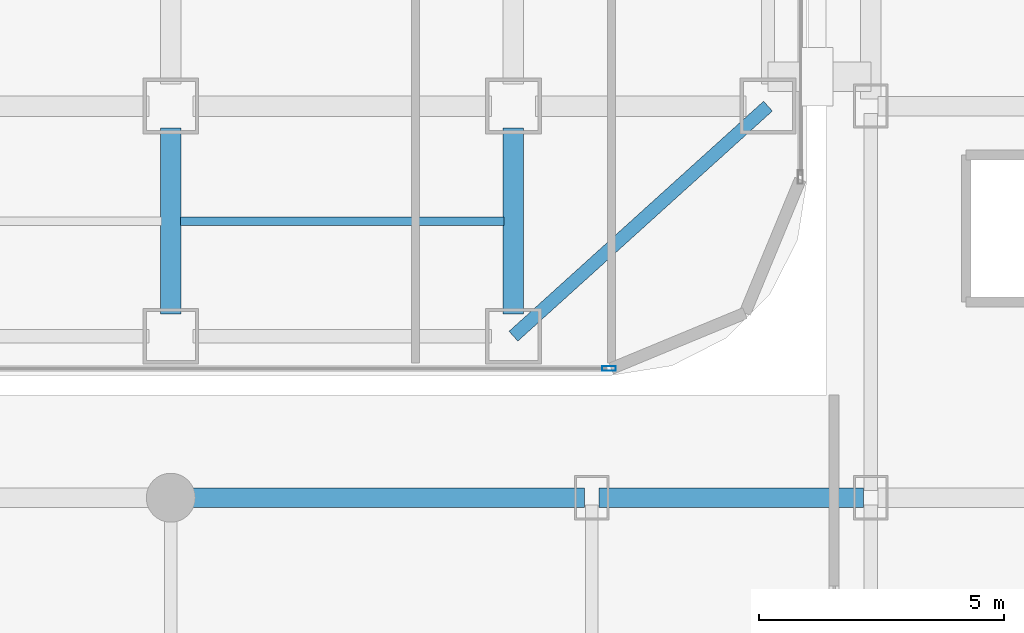
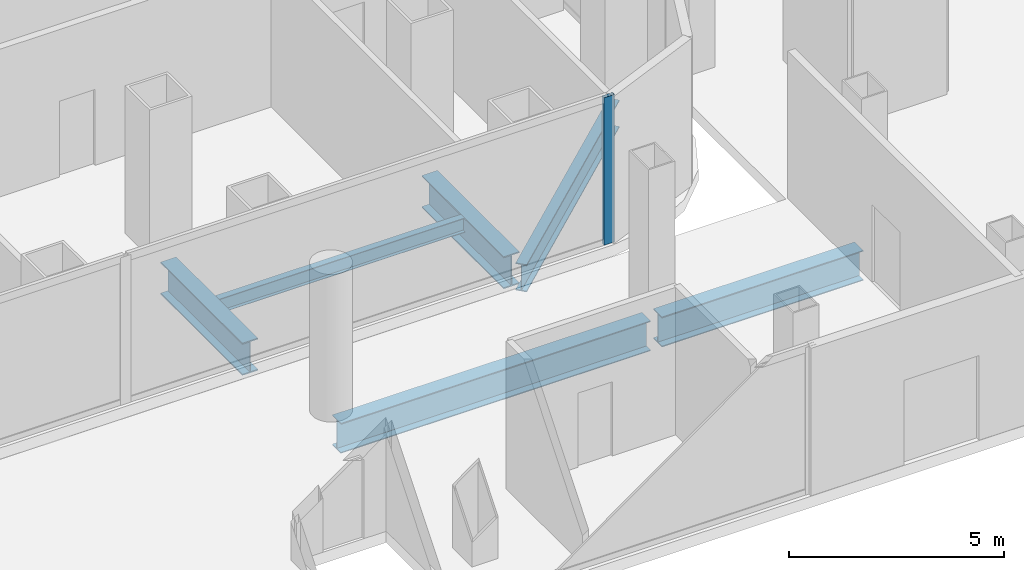
# One storey, part 9 of 31: 6 beams, 1 member, 1 element without a shape of its own.
"""IFC4 building model written with IfcOpenShell, lengths in metres."""

import ifcopenshell
import ifcopenshell.guid

model = None  # the IFC model being written
_history = None  # IfcOwnerHistory: only IFC2X3 demands one
_inside = {}  # id of a spatial element -> (the spatial element, [elements in it])
_under = {}  # id of a project, library or spatial element -> (it, [spatial elements below it])
_declared = {}  # id of a project -> (the project, [libraries it declares])
_typed = {}  # id of a type object -> (the type object, [elements of that type])
_made_of = {}  # id of a material, layer set ... -> (it, [elements and type objects made of it])


def new_model(schema):
    """Start an empty IFC model of exactly this schema.

    Asked for "IFC4X3", IfcOpenShell would pick the latest addendum, in which some entities
    have other attributes; the version numbers below select the first issue.
    IFC2X3 requires an IfcOwnerHistory on every rooted entity: one is made here for all.
    """
    global model, _history
    if schema == "IFC4X3":
        model = ifcopenshell.file(schema_version=(4, 3, 0, 0))
    else:
        model = ifcopenshell.file(schema=schema)
    _inside.clear()
    _under.clear()
    _declared.clear()
    _typed.clear()
    _made_of.clear()
    _history = None
    if model.schema == "IFC2X3":
        org = make("IfcOrganization", Name="unknown")
        user = make(
            "IfcPersonAndOrganization",
            ThePerson=make("IfcPerson", FamilyName="unknown"),
            TheOrganization=org,
        )
        app = make(
            "IfcApplication",
            ApplicationDeveloper=org,
            Version="unknown",
            ApplicationFullName="unknown",
            ApplicationIdentifier="unknown",
        )
        _history = make(
            "IfcOwnerHistory",
            OwningUser=user,
            OwningApplication=app,
            ChangeAction="ADDED",
            CreationDate=0,
        )
    return model


def make(cls, **values):
    """One entity of the class cls with the attributes given. An attribute that is None is left unset."""
    return model.create_entity(
        cls, **{name: value for name, value in values.items() if value is not None}
    )


def rooted(cls, **values):
    """An entity with a GlobalId (a new one), such as an element, a storey or a relation."""
    return make(cls, GlobalId=ifcopenshell.guid.new(), OwnerHistory=_history, **values)


def si_unit(unit_type, name, prefix=None):
    """IfcSIUnit, for example si_unit("LENGTHUNIT", "METRE", prefix="MILLI")."""
    return make("IfcSIUnit", UnitType=unit_type, Prefix=prefix, Name=name)


def assignment(units):
    """IfcUnitAssignment: the units of a project."""
    return None if units is None else make("IfcUnitAssignment", Units=units)


def point(xyz):
    """IfcCartesianPoint."""
    return None if xyz is None else make("IfcCartesianPoint", Coordinates=xyz)


def direction(xyz):
    """IfcDirection."""
    return None if xyz is None else make("IfcDirection", DirectionRatios=xyz)


def frame(location, z_axis=None, x_axis=None):
    """IfcAxis2Placement3D, a coordinate frame: its origin and axes. An axis left out is left unset."""
    return make(
        "IfcAxis2Placement3D",
        Location=point(location),
        Axis=direction(z_axis),
        RefDirection=direction(x_axis),
    )


def frame_2d(location, x_axis=None):
    """IfcAxis2Placement2D, a coordinate frame in the plane: its origin and x axis."""
    return make(
        "IfcAxis2Placement2D", Location=point(location), RefDirection=direction(x_axis)
    )


def origin():
    """The frame at (0, 0, 0) with its axes left unset."""
    return frame((0.0, 0.0, 0.0))


def origin_2d():
    """The frame at (0, 0) in the plane with its x axis left unset."""
    return frame_2d((0.0, 0.0))


def place(relative_to, where):
    """IfcLocalPlacement: puts the frame where relative to a parent placement (None: the world)."""
    return make(
        "IfcLocalPlacement", PlacementRelTo=relative_to, RelativePlacement=where
    )


def context(
    kind, dimensions, precision=None, world=None, true_north=None, identifier=None
):
    """IfcGeometricRepresentationContext, for example the 3D "Model" context."""
    return make(
        "IfcGeometricRepresentationContext",
        ContextIdentifier=identifier,
        ContextType=kind,
        CoordinateSpaceDimension=dimensions,
        Precision=precision,
        WorldCoordinateSystem=world,
        TrueNorth=true_north,
    )


def subcontext(parent, identifier, kind, view, scale=None):
    """IfcGeometricRepresentationSubContext, for example "Body" below "Model"."""
    return make(
        "IfcGeometricRepresentationSubContext",
        ContextIdentifier=identifier,
        ContextType=kind,
        ParentContext=parent,
        TargetScale=scale,
        TargetView=view,
    )


def project(units=None, contexts=None):
    """IfcProject with its units and contexts."""
    return rooted(
        "IfcProject",
        Name="project",
        RepresentationContexts=contexts,
        UnitsInContext=assignment(units),
    )


def spatial(cls, under=None, at=None, **own):
    """A site, building, storey or space (cls), placed at a placement, below another one or the project."""
    s = rooted(cls, ObjectPlacement=at, **own)
    if under is not None:
        _under.setdefault(under.id(), (under, []))[1].append(s)
    return s


def profile(cls, at=None, kind="AREA", **sizes):
    """A parametric profile (cls). Its sizes go by their IFC names, for example OverallWidth=200.0."""
    return make(cls, ProfileType=kind, Position=at, **sizes)


def hollow_rectangle(**sizes):
    """IfcRectangleHollowProfileDef."""
    return profile("IfcRectangleHollowProfileDef", **sizes)


def i_section(**sizes):
    """IfcIShapeProfileDef."""
    return profile("IfcIShapeProfileDef", **sizes)


def extrude(swept, where, along, depth):
    """IfcExtrudedAreaSolid: the profile swept, set in the frame where, extruded along a direction by depth."""
    return make(
        "IfcExtrudedAreaSolid",
        SweptArea=swept,
        Position=where,
        ExtrudedDirection=direction(along),
        Depth=depth,
    )


def shape(context_of_items, identifier, shape_type, items):
    """IfcShapeRepresentation: the items that make up one representation, for example the "Body"."""
    return make(
        "IfcShapeRepresentation",
        ContextOfItems=context_of_items,
        RepresentationIdentifier=identifier,
        RepresentationType=shape_type,
        Items=items,
    )


def source(mapping_origin, context_of_items, identifier, shape_type, items):
    """IfcRepresentationMap: a shape defined once, which mapped items show again and again."""
    return make(
        "IfcRepresentationMap",
        MappingOrigin=mapping_origin,
        MappedRepresentation=shape(context_of_items, identifier, shape_type, items),
    )


def transform(
    local_origin,
    x_axis=None,
    y_axis=None,
    z_axis=None,
    scale=None,
    scale2=None,
    scale3=None,
    uniform=True,
):
    """IfcCartesianTransformationOperator3D, or its non-uniform kind. x_axis, y_axis, z_axis: its Axis1, 2, 3."""
    if uniform:
        return make(
            "IfcCartesianTransformationOperator3D",
            Axis1=direction(x_axis),
            Axis2=direction(y_axis),
            LocalOrigin=point(local_origin),
            Scale=scale,
            Axis3=direction(z_axis),
        )
    return make(
        "IfcCartesianTransformationOperator3DnonUniform",
        Axis1=direction(x_axis),
        Axis2=direction(y_axis),
        LocalOrigin=point(local_origin),
        Scale=scale,
        Axis3=direction(z_axis),
        Scale2=scale2,
        Scale3=scale3,
    )


def mapped(mapping_source, mapping_target):
    """IfcMappedItem: shows the shape of a source again, moved by a transform."""
    return make(
        "IfcMappedItem", MappingSource=mapping_source, MappingTarget=mapping_target
    )


def material(Name=None, Category=None):
    """IfcMaterial."""
    return make("IfcMaterial", Name=Name, Category=Category)


def layer(
    of_material, thickness, ventilated=None, Name=None, Category=None, Priority=None
):
    """IfcMaterialLayer: one layer of a wall or slab, of a material (None: an air gap)."""
    return make(
        "IfcMaterialLayer",
        Material=of_material,
        LayerThickness=thickness,
        IsVentilated=ventilated,
        Name=Name,
        Category=Category,
        Priority=Priority,
    )


def layer_set(layers, Name=None):
    """IfcMaterialLayerSet."""
    return make("IfcMaterialLayerSet", MaterialLayers=layers, LayerSetName=Name)


def material_profile(
    of_material, cross_section, Name=None, Category=None, Priority=None
):
    """IfcMaterialProfile: a cross section and its material."""
    return make(
        "IfcMaterialProfile",
        Name=Name,
        Material=of_material,
        Profile=cross_section,
        Priority=Priority,
        Category=Category,
    )


def profile_set(profiles, Name=None, composite=None):
    """IfcMaterialProfileSet."""
    return make(
        "IfcMaterialProfileSet",
        Name=Name,
        MaterialProfiles=profiles,
        CompositeProfile=composite,
    )


def made_of(thing, what):
    """Note that an element or type object is made of a material, layer set ...; save() writes the relation."""
    if what is not None:
        _made_of.setdefault(what.id(), (what, []))[1].append(thing)
    return thing


def type_object(cls, material=None, **own):
    """A type object (cls), such as IfcWallType, which elements share."""
    return made_of(rooted(cls, **own), material)


def element(
    cls,
    number,
    at=None,
    inside=None,
    cuts=None,
    type_object=None,
    material=None,
    context=None,
    identifier="Body",
    shape_type=None,
    held_by="IfcProductDefinitionShape",
    body=None,
    shapes=None,
    **own,
):
    """One element of the class cls, such as IfcWall. Its Tag is "e" and its number.

    at: its placement. inside: the storey or other place that contains it. cuts: it is an
    opening in that element (IfcRelVoidsElement). A single representation is given by context,
    identifier, shape_type and body (its items); several are given by shapes. held_by: the class
    of the entity that holds the representations. save() writes the other relations.
    """
    e = rooted(cls, Tag="e%d" % number, ObjectPlacement=at, **own)
    if body is not None:
        shapes = [shape(context, identifier, shape_type, body)]
    if shapes is not None:
        e.Representation = make(held_by, Representations=shapes)
    if inside is not None:
        _inside.setdefault(inside.id(), (inside, []))[1].append(e)
    if cuts is not None:
        rooted(
            "IfcRelVoidsElement", RelatingBuildingElement=cuts, RelatedOpeningElement=e
        )
    if type_object is not None:
        _typed.setdefault(type_object.id(), (type_object, []))[1].append(e)
    return made_of(e, material)


def aggregate(whole, parts):
    """IfcRelAggregates: a whole, such as a stair, and the parts it consists of."""
    return rooted("IfcRelAggregates", RelatingObject=whole, RelatedObjects=parts)


def save(model, path):
    """Write the relations noted so far, then the file.

    IfcRelAggregates (storeys below a building ...), IfcRelContainedInSpatialStructure (elements
    in a storey), IfcRelDefinesByType, IfcRelAssociatesMaterial and IfcRelDeclares: one each for
    every whole, place, type object, material and project.
    """
    for whole, parts in _under.values():
        aggregate(whole, parts)
    for where, things in _inside.values():
        rooted(
            "IfcRelContainedInSpatialStructure",
            RelatedElements=things,
            RelatingStructure=where,
        )
    for kind, things in _typed.values():
        rooted("IfcRelDefinesByType", RelatedObjects=things, RelatingType=kind)
    for what, things in _made_of.values():
        rooted("IfcRelAssociatesMaterial", RelatedObjects=things, RelatingMaterial=what)
    for by, libraries in _declared.values():
        rooted("IfcRelDeclares", RelatingContext=by, RelatedDefinitions=libraries)
    model.write(path)


model = new_model("IFC4")

# Units and contexts
model_context = context("Model", 3, precision=1e-05, world=origin(), true_north=direction((0.0, 1.0)))
body_context = subcontext(model_context, "Body", "Model", "MODEL_VIEW")
ifc_project = project(units=[si_unit("LENGTHUNIT", "METRE"), si_unit("AREAUNIT", "SQUARE_METRE"), si_unit("VOLUMEUNIT", "CUBIC_METRE"), si_unit("PLANEANGLEUNIT", "RADIAN"), si_unit("MASSUNIT", "GRAM", prefix="KILO")], contexts=[model_context])

# Site, building, storey
site_placement = place(None, origin())
site = spatial("IfcSite", under=ifc_project, at=site_placement, CompositionType="ELEMENT")
building_placement = place(site_placement, origin())
building = spatial("IfcBuilding", under=site, at=building_placement, Name="Kolveth Station Tower", CompositionType="ELEMENT")
storey_placement = place(building_placement, origin())
storey = spatial("IfcBuildingStorey", under=building, at=storey_placement, Name="L00", CompositionType="ELEMENT", Elevation=0.0)

# Beams
ifc_material_1 = material(Name="Steel S355", Category="steel")
ifc_material_profile_1 = material_profile(ifc_material_1, i_section(OverallWidth=0.26904296875, OverallDepth=0.77490234375, WebThickness=0.01708984375, FlangeThickness=0.0283203125, at=origin_2d()), Name="W760x220")
ifc_profile_set_1 = profile_set([ifc_material_profile_1], Name="Steel S355")
beam_type_1 = type_object("IfcBeamType", Name="Beam_SP1", PredefinedType="SPANDREL", material=ifc_profile_set_1)
shared_shape_1 = source(origin(), body_context, "Body", "SweptSolid", [
    extrude(i_section(OverallWidth=0.26904296875, OverallDepth=0.77490234375, WebThickness=0.01708984375, FlangeThickness=0.0283203125, at=origin_2d()), origin(), (0.0, 0.0, 1.0), 7.00927734375),
])
beam_1_placement = place(storey_placement, frame((41.0, 0.800048828125, -0.70751953125), z_axis=(0.741874009795, 0.670539300557, 0.0), x_axis=(-0.670539300557, 0.741874009795, 0.0)))
element("IfcBeam", 1, at=beam_1_placement, inside=storey, type_object=beam_type_1, Name="L00 Corner Edge Girder BM-L00-CNR-SE", PredefinedType="SPANDREL", context=body_context, shape_type="MappedRepresentation", body=[
    mapped(shared_shape_1, transform((0.0, 0.0, 0.0), x_axis=(1.0, 0.0, 0.0), y_axis=(0.0, 1.0, 0.0), z_axis=(0.0, 0.0, 1.0), scale=1.0)),
])
ifc_material_profile_2 = material_profile(ifc_material_1, i_section(OverallWidth=0.41796875, OverallDepth=0.912109375, WebThickness=0.019287109375, FlangeThickness=0.031982421875, at=origin_2d()), Name="W920x342")
ifc_profile_set_2 = profile_set([ifc_material_profile_2], Name="Steel S355")
beam_type_2 = type_object("IfcBeamType", Name="Beam_B1", PredefinedType="BEAM", material=ifc_profile_set_2)
shared_shape_2 = source(origin(), body_context, "Body", "SweptSolid", [
    extrude(i_section(OverallWidth=0.41796875, OverallDepth=0.912109375, WebThickness=0.019287109375, FlangeThickness=0.031982421875, at=origin_2d()), origin(), (0.0, 0.0, 1.0), 3.800048828125),
])
for number, where, z_axis, x_axis, name in (
    (2, (34.0, 1.25, -0.77587890625), (0.0, 1.0, 0.0), (-1.0, 0.0, 0.0), "L00 Primary Girder BM-L00-GX340-1"),
    (3, (41.0, 1.25, -0.77587890625), (0.0, 1.0, 0.0), (-1.0, 0.0, 0.0), "L00 Primary Girder BM-L00-GX410-1"),
):
    element("IfcBeam", number, at=place(storey_placement, frame(where, z_axis=z_axis, x_axis=x_axis)), inside=storey, type_object=beam_type_2, Name=name, PredefinedType="BEAM", context=body_context, shape_type="MappedRepresentation", body=[
        mapped(shared_shape_2, transform((0.0, 0.0, 0.0), x_axis=(1.0, 0.0, 0.0), y_axis=(0.0, 1.0, 0.0), z_axis=(0.0, 0.0, 1.0), scale=1.0)),
    ])
ifc_material_profile_3 = material_profile(ifc_material_1, i_section(OverallWidth=0.177978515625, OverallDepth=0.406982421875, WebThickness=0.0078125, FlangeThickness=0.0126953125, at=origin_2d()), Name="W410x60")
ifc_profile_set_3 = profile_set([ifc_material_profile_3], Name="Steel S355")
beam_type_3 = type_object("IfcBeamType", Name="Beam_J1", PredefinedType="JOIST", material=ifc_profile_set_3)
shared_shape_3 = source(origin(), body_context, "Body", "SweptSolid", [
    extrude(i_section(OverallWidth=0.177978515625, OverallDepth=0.406982421875, WebThickness=0.0078125, FlangeThickness=0.0126953125, at=origin_2d()), origin(), (0.0, 0.0, 1.0), 6.60986328125),
])
beam_2_placement = place(storey_placement, frame((34.195068359375, 3.14990234375, -0.5234375), z_axis=(1.0, 0.0, 0.0), x_axis=(0.0, 1.0, 0.0)))
element("IfcBeam", 4, at=beam_2_placement, inside=storey, type_object=beam_type_3, Name="L00 Secondary Joist JST-L00-6-1", PredefinedType="JOIST", context=body_context, shape_type="MappedRepresentation", body=[
    mapped(shared_shape_3, transform((0.0, 0.0, 0.0), x_axis=(1.0, 0.0, 0.0), y_axis=(0.0, 1.0, 0.0), z_axis=(0.0, 0.0, 1.0), scale=1.0)),
])
ifc_material_profile_4 = material_profile(ifc_material_1, i_section(OverallWidth=0.40087890625, OverallDepth=0.85107421875, WebThickness=0.01611328125, FlangeThickness=0.025390625, at=origin_2d()), Name="W840x226")
ifc_profile_set_4 = profile_set([ifc_material_profile_4], Name="Steel S355")
beam_type_4 = type_object("IfcBeamType", Name="Beam_B2", PredefinedType="BEAM", material=ifc_profile_set_4)
shared_shape_4 = source(origin(), body_context, "Body", "SweptSolid", [
    extrude(i_section(OverallWidth=0.40087890625, OverallDepth=0.85107421875, WebThickness=0.01611328125, FlangeThickness=0.025390625, at=origin_2d()), origin(), (0.0, 0.0, 1.0), 8.300048828125),
])
beam_3_placement = place(storey_placement, frame((34.14990234375, -2.5, -0.74560546875), z_axis=(1.0, 0.0, 0.0), x_axis=(0.0, 1.0, 0.0)))
element("IfcBeam", 5, at=beam_3_placement, inside=storey, type_object=beam_type_4, Name="L00 Station Concourse Girder SBM-L00-SL2-4", PredefinedType="BEAM", context=body_context, shape_type="MappedRepresentation", body=[
    mapped(shared_shape_4, transform((0.0, 0.0, 0.0), x_axis=(1.0, 0.0, 0.0), y_axis=(0.0, 1.0, 0.0), z_axis=(0.0, 0.0, 1.0), scale=1.0)),
])
shared_shape_5 = source(origin(), body_context, "Body", "SweptSolid", [
    extrude(i_section(OverallWidth=0.40087890625, OverallDepth=0.85107421875, WebThickness=0.01611328125, FlangeThickness=0.025390625, at=origin_2d()), origin(), (0.0, 0.0, 1.0), 5.39990234375),
])
beam_4_placement = place(storey_placement, frame((42.75, -2.5, -0.74560546875), z_axis=(1.0, 0.0, 0.0), x_axis=(0.0, 1.0, 0.0)))
element("IfcBeam", 6, at=beam_4_placement, inside=storey, type_object=beam_type_4, Name="L00 Station Concourse Girder SBM-L00-SL2-5", PredefinedType="BEAM", context=body_context, shape_type="MappedRepresentation", body=[
    mapped(shared_shape_5, transform((0.0, 0.0, 0.0), x_axis=(1.0, 0.0, 0.0), y_axis=(0.0, 1.0, 0.0), z_axis=(0.0, 0.0, 1.0), scale=1.0)),
])

# Curtain wall, member
ifc_material_2 = material(Name="Black anodized aluminium 6063-T6 and clear station glass", Category="aluminium")
ifc_layer = layer(ifc_material_2, 0.239990234375)
ifc_layer_set = layer_set([ifc_layer], Name="Black anodized aluminium 6063-T6 and clear station glass")
curtain_wall_type = type_object("IfcCurtainWallType", Name="CurtainWall_CW-ST", PredefinedType="NOTDEFINED", material=ifc_layer_set)
curtain_wall_placement = place(storey_placement, origin())
curtain_wall = element("IfcCurtainWall", 7, at=curtain_wall_placement, inside=storey, type_object=curtain_wall_type, Name="L00 Tower Podium South Storefront Curtain Wall", PredefinedType="NOTDEFINED")
ifc_material_3 = material(Name="Black anodized aluminium 6063-T6", Category="aluminium")
ifc_material_profile_5 = material_profile(ifc_material_3, hollow_rectangle(XDim=0.10009765625, YDim=0.280029296875, WallThickness=0.0048828125, at=origin_2d()), Name="ALU-100x280x5")
ifc_profile_set_5 = profile_set([ifc_material_profile_5], Name="Black anodized aluminium 6063-T6")
member_type = type_object("IfcMemberType", Name="Mullion_ML-ST", PredefinedType="MULLION", material=ifc_profile_set_5)
shared_shape_6 = source(origin(), body_context, "Body", "SweptSolid", [
    extrude(hollow_rectangle(XDim=0.10009765625, YDim=0.280029296875, WallThickness=0.0048828125, at=origin_2d()), origin(), (0.0, 0.0, 1.0), 4.179931640625),
])
member_placement = place(storey_placement, frame((42.949951171875, 0.139892578125, 0.0), z_axis=(0.0, 0.0, 1.0), x_axis=(0.0, 1.0, 0.0)))
member = element("IfcMember", 8, at=member_placement, type_object=member_type, Name="CW-ST mullion 4", PredefinedType="MULLION", context=body_context, shape_type="MappedRepresentation", body=[
    mapped(shared_shape_6, transform((0.0, 0.0, 0.0), x_axis=(1.0, 0.0, 0.0), y_axis=(0.0, 1.0, 0.0), z_axis=(0.0, 0.0, 1.0), scale=1.0)),
])
aggregate(curtain_wall, [member])

save(model, "model.ifc")
